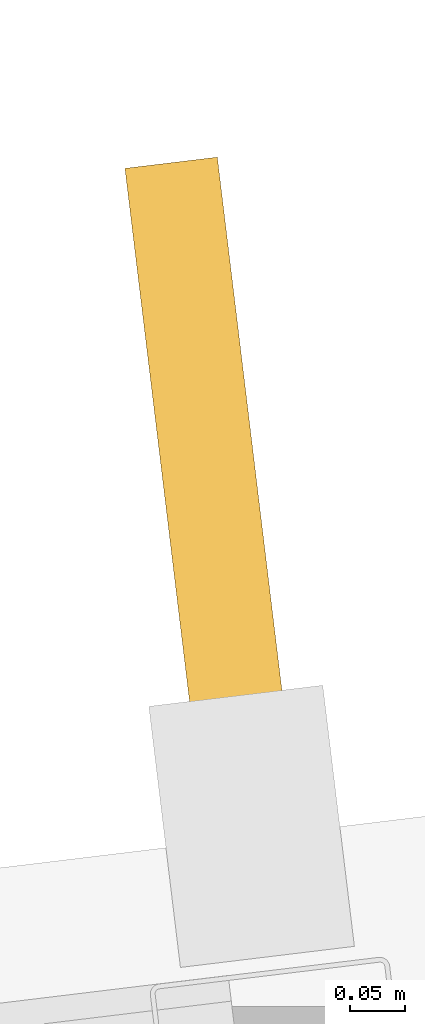
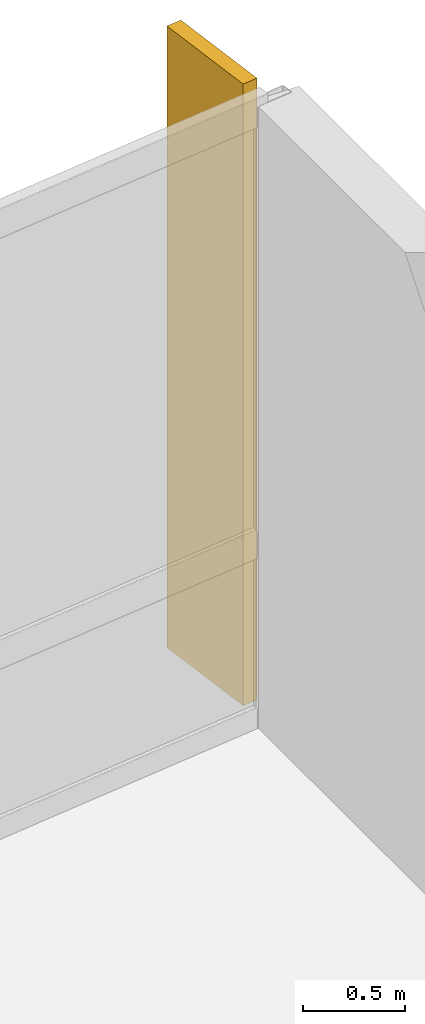
# One storey, part 17 of 17: 1 shading device.
"""IFC4 building model written with IfcOpenShell, lengths in metres."""

import ifcopenshell
import ifcopenshell.guid

model = None  # the IFC model being written
_history = None  # IfcOwnerHistory: only IFC2X3 demands one
_inside = {}  # id of a spatial element -> (the spatial element, [elements in it])
_under = {}  # id of a project, library or spatial element -> (it, [spatial elements below it])
_declared = {}  # id of a project -> (the project, [libraries it declares])
_typed = {}  # id of a type object -> (the type object, [elements of that type])
_made_of = {}  # id of a material, layer set ... -> (it, [elements and type objects made of it])


def new_model(schema):
    """Start an empty IFC model of exactly this schema.

    Asked for "IFC4X3", IfcOpenShell would pick the latest addendum, in which some entities
    have other attributes; the version numbers below select the first issue.
    IFC2X3 requires an IfcOwnerHistory on every rooted entity: one is made here for all.
    """
    global model, _history
    if schema == "IFC4X3":
        model = ifcopenshell.file(schema_version=(4, 3, 0, 0))
    else:
        model = ifcopenshell.file(schema=schema)
    _inside.clear()
    _under.clear()
    _declared.clear()
    _typed.clear()
    _made_of.clear()
    _history = None
    if model.schema == "IFC2X3":
        org = make("IfcOrganization", Name="unknown")
        user = make(
            "IfcPersonAndOrganization",
            ThePerson=make("IfcPerson", FamilyName="unknown"),
            TheOrganization=org,
        )
        app = make(
            "IfcApplication",
            ApplicationDeveloper=org,
            Version="unknown",
            ApplicationFullName="unknown",
            ApplicationIdentifier="unknown",
        )
        _history = make(
            "IfcOwnerHistory",
            OwningUser=user,
            OwningApplication=app,
            ChangeAction="ADDED",
            CreationDate=0,
        )
    return model


def make(cls, **values):
    """One entity of the class cls with the attributes given. An attribute that is None is left unset."""
    return model.create_entity(
        cls, **{name: value for name, value in values.items() if value is not None}
    )


def rooted(cls, **values):
    """An entity with a GlobalId (a new one), such as an element, a storey or a relation."""
    return make(cls, GlobalId=ifcopenshell.guid.new(), OwnerHistory=_history, **values)


def si_unit(unit_type, name, prefix=None):
    """IfcSIUnit, for example si_unit("LENGTHUNIT", "METRE", prefix="MILLI")."""
    return make("IfcSIUnit", UnitType=unit_type, Prefix=prefix, Name=name)


def assignment(units):
    """IfcUnitAssignment: the units of a project."""
    return None if units is None else make("IfcUnitAssignment", Units=units)


def point(xyz):
    """IfcCartesianPoint."""
    return None if xyz is None else make("IfcCartesianPoint", Coordinates=xyz)


def direction(xyz):
    """IfcDirection."""
    return None if xyz is None else make("IfcDirection", DirectionRatios=xyz)


def frame(location, z_axis=None, x_axis=None):
    """IfcAxis2Placement3D, a coordinate frame: its origin and axes. An axis left out is left unset."""
    return make(
        "IfcAxis2Placement3D",
        Location=point(location),
        Axis=direction(z_axis),
        RefDirection=direction(x_axis),
    )


def frame_2d(location, x_axis=None):
    """IfcAxis2Placement2D, a coordinate frame in the plane: its origin and x axis."""
    return make(
        "IfcAxis2Placement2D", Location=point(location), RefDirection=direction(x_axis)
    )


def origin():
    """The frame at (0, 0, 0) with its axes left unset."""
    return frame((0.0, 0.0, 0.0))


def origin_2d():
    """The frame at (0, 0) in the plane with its x axis left unset."""
    return frame_2d((0.0, 0.0))


def place(relative_to, where):
    """IfcLocalPlacement: puts the frame where relative to a parent placement (None: the world)."""
    return make(
        "IfcLocalPlacement", PlacementRelTo=relative_to, RelativePlacement=where
    )


def context(
    kind, dimensions, precision=None, world=None, true_north=None, identifier=None
):
    """IfcGeometricRepresentationContext, for example the 3D "Model" context."""
    return make(
        "IfcGeometricRepresentationContext",
        ContextIdentifier=identifier,
        ContextType=kind,
        CoordinateSpaceDimension=dimensions,
        Precision=precision,
        WorldCoordinateSystem=world,
        TrueNorth=true_north,
    )


def subcontext(parent, identifier, kind, view, scale=None):
    """IfcGeometricRepresentationSubContext, for example "Body" below "Model"."""
    return make(
        "IfcGeometricRepresentationSubContext",
        ContextIdentifier=identifier,
        ContextType=kind,
        ParentContext=parent,
        TargetScale=scale,
        TargetView=view,
    )


def project(units=None, contexts=None):
    """IfcProject with its units and contexts."""
    return rooted(
        "IfcProject",
        Name="project",
        RepresentationContexts=contexts,
        UnitsInContext=assignment(units),
    )


def spatial(cls, under=None, at=None, **own):
    """A site, building, storey or space (cls), placed at a placement, below another one or the project."""
    s = rooted(cls, ObjectPlacement=at, **own)
    if under is not None:
        _under.setdefault(under.id(), (under, []))[1].append(s)
    return s


def profile(cls, at=None, kind="AREA", **sizes):
    """A parametric profile (cls). Its sizes go by their IFC names, for example OverallWidth=200.0."""
    return make(cls, ProfileType=kind, Position=at, **sizes)


def rectangle(**sizes):
    """IfcRectangleProfileDef."""
    return profile("IfcRectangleProfileDef", **sizes)


def extrude(swept, where, along, depth):
    """IfcExtrudedAreaSolid: the profile swept, set in the frame where, extruded along a direction by depth."""
    return make(
        "IfcExtrudedAreaSolid",
        SweptArea=swept,
        Position=where,
        ExtrudedDirection=direction(along),
        Depth=depth,
    )


def shape(context_of_items, identifier, shape_type, items):
    """IfcShapeRepresentation: the items that make up one representation, for example the "Body"."""
    return make(
        "IfcShapeRepresentation",
        ContextOfItems=context_of_items,
        RepresentationIdentifier=identifier,
        RepresentationType=shape_type,
        Items=items,
    )


def material(Name=None, Category=None):
    """IfcMaterial."""
    return make("IfcMaterial", Name=Name, Category=Category)


def layer(
    of_material, thickness, ventilated=None, Name=None, Category=None, Priority=None
):
    """IfcMaterialLayer: one layer of a wall or slab, of a material (None: an air gap)."""
    return make(
        "IfcMaterialLayer",
        Material=of_material,
        LayerThickness=thickness,
        IsVentilated=ventilated,
        Name=Name,
        Category=Category,
        Priority=Priority,
    )


def layer_set(layers, Name=None):
    """IfcMaterialLayerSet."""
    return make("IfcMaterialLayerSet", MaterialLayers=layers, LayerSetName=Name)


def made_of(thing, what):
    """Note that an element or type object is made of a material, layer set ...; save() writes the relation."""
    if what is not None:
        _made_of.setdefault(what.id(), (what, []))[1].append(thing)
    return thing


def type_object(cls, material=None, **own):
    """A type object (cls), such as IfcWallType, which elements share."""
    return made_of(rooted(cls, **own), material)


def element(
    cls,
    number,
    at=None,
    inside=None,
    cuts=None,
    type_object=None,
    material=None,
    context=None,
    identifier="Body",
    shape_type=None,
    held_by="IfcProductDefinitionShape",
    body=None,
    shapes=None,
    **own,
):
    """One element of the class cls, such as IfcWall. Its Tag is "e" and its number.

    at: its placement. inside: the storey or other place that contains it. cuts: it is an
    opening in that element (IfcRelVoidsElement). A single representation is given by context,
    identifier, shape_type and body (its items); several are given by shapes. held_by: the class
    of the entity that holds the representations. save() writes the other relations.
    """
    e = rooted(cls, Tag="e%d" % number, ObjectPlacement=at, **own)
    if body is not None:
        shapes = [shape(context, identifier, shape_type, body)]
    if shapes is not None:
        e.Representation = make(held_by, Representations=shapes)
    if inside is not None:
        _inside.setdefault(inside.id(), (inside, []))[1].append(e)
    if cuts is not None:
        rooted(
            "IfcRelVoidsElement", RelatingBuildingElement=cuts, RelatedOpeningElement=e
        )
    if type_object is not None:
        _typed.setdefault(type_object.id(), (type_object, []))[1].append(e)
    return made_of(e, material)


def aggregate(whole, parts):
    """IfcRelAggregates: a whole, such as a stair, and the parts it consists of."""
    return rooted("IfcRelAggregates", RelatingObject=whole, RelatedObjects=parts)


def save(model, path):
    """Write the relations noted so far, then the file.

    IfcRelAggregates (storeys below a building ...), IfcRelContainedInSpatialStructure (elements
    in a storey), IfcRelDefinesByType, IfcRelAssociatesMaterial and IfcRelDeclares: one each for
    every whole, place, type object, material and project.
    """
    for whole, parts in _under.values():
        aggregate(whole, parts)
    for where, things in _inside.values():
        rooted(
            "IfcRelContainedInSpatialStructure",
            RelatedElements=things,
            RelatingStructure=where,
        )
    for kind, things in _typed.values():
        rooted("IfcRelDefinesByType", RelatedObjects=things, RelatingType=kind)
    for what, things in _made_of.values():
        rooted("IfcRelAssociatesMaterial", RelatedObjects=things, RelatingMaterial=what)
    for by, libraries in _declared.values():
        rooted("IfcRelDeclares", RelatingContext=by, RelatedDefinitions=libraries)
    model.write(path)


model = new_model("IFC4")

# Units and contexts
model_context = context("Model", 3, precision=1e-05, world=origin(), true_north=direction((0.0, 1.0)))
body_context = subcontext(model_context, "Body", "Model", "MODEL_VIEW")
ifc_project = project(units=[si_unit("LENGTHUNIT", "METRE"), si_unit("AREAUNIT", "SQUARE_METRE"), si_unit("VOLUMEUNIT", "CUBIC_METRE"), si_unit("PLANEANGLEUNIT", "RADIAN"), si_unit("MASSUNIT", "GRAM", prefix="KILO")], contexts=[model_context])

# Site, building, storey
site_placement = place(None, origin())
site = spatial("IfcSite", under=ifc_project, at=site_placement, CompositionType="ELEMENT")
building_placement = place(site_placement, origin())
building = spatial("IfcBuilding", under=site, at=building_placement, Name="Varnakote Quay Hospital", CompositionType="ELEMENT")
storey_placement = place(building_placement, frame((0.0, 0.0, 127.050048828125)))
storey = spatial("IfcBuildingStorey", under=building, at=storey_placement, Name="L31", CompositionType="ELEMENT", Elevation=127.050048828125)

# Shading device
ifc_material = material(Name="Anodised aluminium 6063-T6 Bronze", Category="aluminium")
ifc_layer = layer(ifc_material, 0.0849609375)
ifc_layer_set = layer_set([ifc_layer], Name="Anodised aluminium 6063-T6 Bronze")
shading_device_type = type_object("IfcShadingDeviceType", Name="SHD-BRONZE-FIN-620", PredefinedType="USERDEFINED", material=ifc_layer_set)
shading_device_placement = place(storey_placement, frame((53.9462890625, 33.381591796875, 0.0), z_axis=(0.0, 0.0, 1.0), x_axis=(0.120310105847, -0.992736358975, 0.0)))
element("IfcShadingDevice", 1, at=shading_device_placement, inside=storey, type_object=shading_device_type, Name="L31 Anodised Bronze Vertical Shading FIN", ObjectType="FIN", PredefinedType="USERDEFINED", context=body_context, shape_type="SweptSolid", body=[
    extrude(rectangle(XDim=0.6201171875, YDim=0.0849609375, at=origin_2d()), origin(), (0.0, 0.0, 1.0), 3.7099609375),
])

save(model, "model.ifc")
